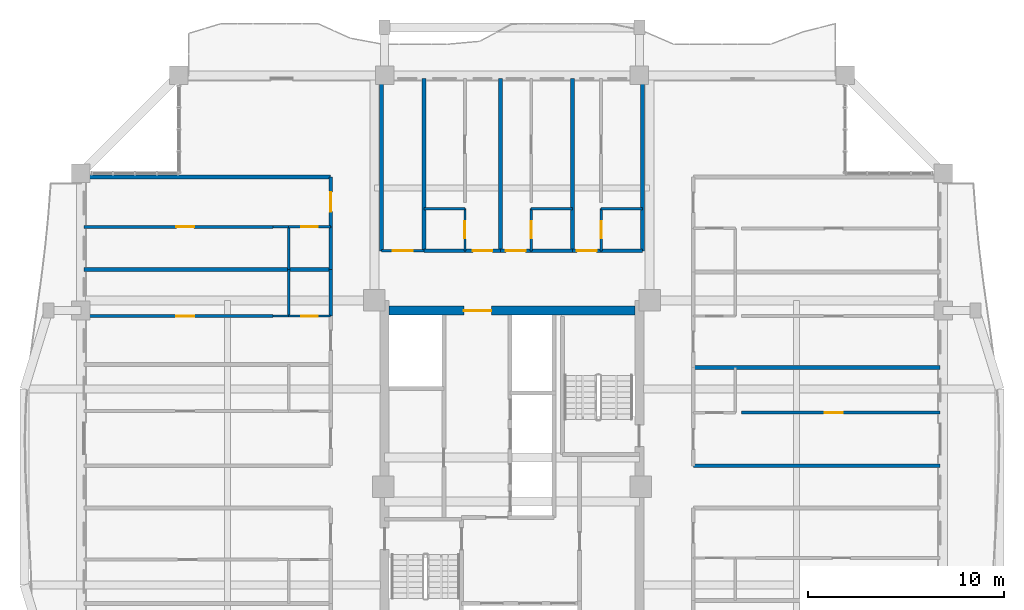
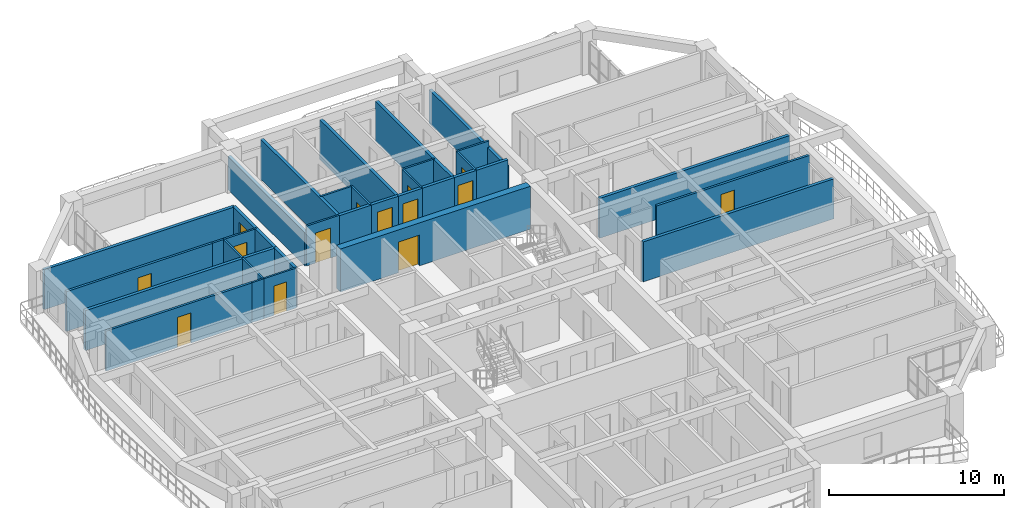
# One storey, part 16 of 24: 35 walls, 14 doors, 14 openings.
"""IFC4 building model written with IfcOpenShell, lengths in metres."""

import ifcopenshell
import ifcopenshell.guid

model = None  # the IFC model being written
_history = None  # IfcOwnerHistory: only IFC2X3 demands one
_inside = {}  # id of a spatial element -> (the spatial element, [elements in it])
_under = {}  # id of a project, library or spatial element -> (it, [spatial elements below it])
_declared = {}  # id of a project -> (the project, [libraries it declares])
_typed = {}  # id of a type object -> (the type object, [elements of that type])
_made_of = {}  # id of a material, layer set ... -> (it, [elements and type objects made of it])


def new_model(schema):
    """Start an empty IFC model of exactly this schema.

    Asked for "IFC4X3", IfcOpenShell would pick the latest addendum, in which some entities
    have other attributes; the version numbers below select the first issue.
    IFC2X3 requires an IfcOwnerHistory on every rooted entity: one is made here for all.
    """
    global model, _history
    if schema == "IFC4X3":
        model = ifcopenshell.file(schema_version=(4, 3, 0, 0))
    else:
        model = ifcopenshell.file(schema=schema)
    _inside.clear()
    _under.clear()
    _declared.clear()
    _typed.clear()
    _made_of.clear()
    _history = None
    if model.schema == "IFC2X3":
        org = make("IfcOrganization", Name="unknown")
        user = make(
            "IfcPersonAndOrganization",
            ThePerson=make("IfcPerson", FamilyName="unknown"),
            TheOrganization=org,
        )
        app = make(
            "IfcApplication",
            ApplicationDeveloper=org,
            Version="unknown",
            ApplicationFullName="unknown",
            ApplicationIdentifier="unknown",
        )
        _history = make(
            "IfcOwnerHistory",
            OwningUser=user,
            OwningApplication=app,
            ChangeAction="ADDED",
            CreationDate=0,
        )
    return model


def make(cls, **values):
    """One entity of the class cls with the attributes given. An attribute that is None is left unset."""
    return model.create_entity(
        cls, **{name: value for name, value in values.items() if value is not None}
    )


def rooted(cls, **values):
    """An entity with a GlobalId (a new one), such as an element, a storey or a relation."""
    return make(cls, GlobalId=ifcopenshell.guid.new(), OwnerHistory=_history, **values)


def si_unit(unit_type, name, prefix=None):
    """IfcSIUnit, for example si_unit("LENGTHUNIT", "METRE", prefix="MILLI")."""
    return make("IfcSIUnit", UnitType=unit_type, Prefix=prefix, Name=name)


def assignment(units):
    """IfcUnitAssignment: the units of a project."""
    return None if units is None else make("IfcUnitAssignment", Units=units)


def point(xyz):
    """IfcCartesianPoint."""
    return None if xyz is None else make("IfcCartesianPoint", Coordinates=xyz)


def direction(xyz):
    """IfcDirection."""
    return None if xyz is None else make("IfcDirection", DirectionRatios=xyz)


def frame(location, z_axis=None, x_axis=None):
    """IfcAxis2Placement3D, a coordinate frame: its origin and axes. An axis left out is left unset."""
    return make(
        "IfcAxis2Placement3D",
        Location=point(location),
        Axis=direction(z_axis),
        RefDirection=direction(x_axis),
    )


def frame_2d(location, x_axis=None):
    """IfcAxis2Placement2D, a coordinate frame in the plane: its origin and x axis."""
    return make(
        "IfcAxis2Placement2D", Location=point(location), RefDirection=direction(x_axis)
    )


def origin():
    """The frame at (0, 0, 0) with its axes left unset."""
    return frame((0.0, 0.0, 0.0))


def place(relative_to, where):
    """IfcLocalPlacement: puts the frame where relative to a parent placement (None: the world)."""
    return make(
        "IfcLocalPlacement", PlacementRelTo=relative_to, RelativePlacement=where
    )


def context(
    kind, dimensions, precision=None, world=None, true_north=None, identifier=None
):
    """IfcGeometricRepresentationContext, for example the 3D "Model" context."""
    return make(
        "IfcGeometricRepresentationContext",
        ContextIdentifier=identifier,
        ContextType=kind,
        CoordinateSpaceDimension=dimensions,
        Precision=precision,
        WorldCoordinateSystem=world,
        TrueNorth=true_north,
    )


def subcontext(parent, identifier, kind, view, scale=None):
    """IfcGeometricRepresentationSubContext, for example "Body" below "Model"."""
    return make(
        "IfcGeometricRepresentationSubContext",
        ContextIdentifier=identifier,
        ContextType=kind,
        ParentContext=parent,
        TargetScale=scale,
        TargetView=view,
    )


def project(units=None, contexts=None):
    """IfcProject with its units and contexts."""
    return rooted(
        "IfcProject",
        Name="project",
        RepresentationContexts=contexts,
        UnitsInContext=assignment(units),
    )


def spatial(cls, under=None, at=None, **own):
    """A site, building, storey or space (cls), placed at a placement, below another one or the project."""
    s = rooted(cls, ObjectPlacement=at, **own)
    if under is not None:
        _under.setdefault(under.id(), (under, []))[1].append(s)
    return s


def profile(cls, at=None, kind="AREA", **sizes):
    """A parametric profile (cls). Its sizes go by their IFC names, for example OverallWidth=200.0."""
    return make(cls, ProfileType=kind, Position=at, **sizes)


def rectangle(**sizes):
    """IfcRectangleProfileDef."""
    return profile("IfcRectangleProfileDef", **sizes)


def extrude(swept, where, along, depth):
    """IfcExtrudedAreaSolid: the profile swept, set in the frame where, extruded along a direction by depth."""
    return make(
        "IfcExtrudedAreaSolid",
        SweptArea=swept,
        Position=where,
        ExtrudedDirection=direction(along),
        Depth=depth,
    )


def shape(context_of_items, identifier, shape_type, items):
    """IfcShapeRepresentation: the items that make up one representation, for example the "Body"."""
    return make(
        "IfcShapeRepresentation",
        ContextOfItems=context_of_items,
        RepresentationIdentifier=identifier,
        RepresentationType=shape_type,
        Items=items,
    )


def source(mapping_origin, context_of_items, identifier, shape_type, items):
    """IfcRepresentationMap: a shape defined once, which mapped items show again and again."""
    return make(
        "IfcRepresentationMap",
        MappingOrigin=mapping_origin,
        MappedRepresentation=shape(context_of_items, identifier, shape_type, items),
    )


def transform(
    local_origin,
    x_axis=None,
    y_axis=None,
    z_axis=None,
    scale=None,
    scale2=None,
    scale3=None,
    uniform=True,
):
    """IfcCartesianTransformationOperator3D, or its non-uniform kind. x_axis, y_axis, z_axis: its Axis1, 2, 3."""
    if uniform:
        return make(
            "IfcCartesianTransformationOperator3D",
            Axis1=direction(x_axis),
            Axis2=direction(y_axis),
            LocalOrigin=point(local_origin),
            Scale=scale,
            Axis3=direction(z_axis),
        )
    return make(
        "IfcCartesianTransformationOperator3DnonUniform",
        Axis1=direction(x_axis),
        Axis2=direction(y_axis),
        LocalOrigin=point(local_origin),
        Scale=scale,
        Axis3=direction(z_axis),
        Scale2=scale2,
        Scale3=scale3,
    )


def mapped(mapping_source, mapping_target):
    """IfcMappedItem: shows the shape of a source again, moved by a transform."""
    return make(
        "IfcMappedItem", MappingSource=mapping_source, MappingTarget=mapping_target
    )


def material(Name=None, Category=None):
    """IfcMaterial."""
    return make("IfcMaterial", Name=Name, Category=Category)


def layer(
    of_material, thickness, ventilated=None, Name=None, Category=None, Priority=None
):
    """IfcMaterialLayer: one layer of a wall or slab, of a material (None: an air gap)."""
    return make(
        "IfcMaterialLayer",
        Material=of_material,
        LayerThickness=thickness,
        IsVentilated=ventilated,
        Name=Name,
        Category=Category,
        Priority=Priority,
    )


def layer_set(layers, Name=None):
    """IfcMaterialLayerSet."""
    return make("IfcMaterialLayerSet", MaterialLayers=layers, LayerSetName=Name)


def made_of(thing, what):
    """Note that an element or type object is made of a material, layer set ...; save() writes the relation."""
    if what is not None:
        _made_of.setdefault(what.id(), (what, []))[1].append(thing)
    return thing


def type_object(cls, material=None, **own):
    """A type object (cls), such as IfcWallType, which elements share."""
    return made_of(rooted(cls, **own), material)


def element(
    cls,
    number,
    at=None,
    inside=None,
    cuts=None,
    type_object=None,
    material=None,
    context=None,
    identifier="Body",
    shape_type=None,
    held_by="IfcProductDefinitionShape",
    body=None,
    shapes=None,
    **own,
):
    """One element of the class cls, such as IfcWall. Its Tag is "e" and its number.

    at: its placement. inside: the storey or other place that contains it. cuts: it is an
    opening in that element (IfcRelVoidsElement). A single representation is given by context,
    identifier, shape_type and body (its items); several are given by shapes. held_by: the class
    of the entity that holds the representations. save() writes the other relations.
    """
    e = rooted(cls, Tag="e%d" % number, ObjectPlacement=at, **own)
    if body is not None:
        shapes = [shape(context, identifier, shape_type, body)]
    if shapes is not None:
        e.Representation = make(held_by, Representations=shapes)
    if inside is not None:
        _inside.setdefault(inside.id(), (inside, []))[1].append(e)
    if cuts is not None:
        rooted(
            "IfcRelVoidsElement", RelatingBuildingElement=cuts, RelatedOpeningElement=e
        )
    if type_object is not None:
        _typed.setdefault(type_object.id(), (type_object, []))[1].append(e)
    return made_of(e, material)


def fill(opening, filler):
    """IfcRelFillsElement: the door or window that sits in an opening."""
    return rooted(
        "IfcRelFillsElement",
        RelatingOpeningElement=opening,
        RelatedBuildingElement=filler,
    )


def aggregate(whole, parts):
    """IfcRelAggregates: a whole, such as a stair, and the parts it consists of."""
    return rooted("IfcRelAggregates", RelatingObject=whole, RelatedObjects=parts)


def save(model, path):
    """Write the relations noted so far, then the file.

    IfcRelAggregates (storeys below a building ...), IfcRelContainedInSpatialStructure (elements
    in a storey), IfcRelDefinesByType, IfcRelAssociatesMaterial and IfcRelDeclares: one each for
    every whole, place, type object, material and project.
    """
    for whole, parts in _under.values():
        aggregate(whole, parts)
    for where, things in _inside.values():
        rooted(
            "IfcRelContainedInSpatialStructure",
            RelatedElements=things,
            RelatingStructure=where,
        )
    for kind, things in _typed.values():
        rooted("IfcRelDefinesByType", RelatedObjects=things, RelatingType=kind)
    for what, things in _made_of.values():
        rooted("IfcRelAssociatesMaterial", RelatedObjects=things, RelatingMaterial=what)
    for by, libraries in _declared.values():
        rooted("IfcRelDeclares", RelatingContext=by, RelatedDefinitions=libraries)
    model.write(path)


model = new_model("IFC4")

# Units and contexts
model_context = context("Model", 3, precision=1e-05, world=origin(), true_north=direction((0.0, 1.0)))
body_context = subcontext(model_context, "Body", "Model", "MODEL_VIEW")
ifc_project = project(units=[si_unit("LENGTHUNIT", "METRE"), si_unit("AREAUNIT", "SQUARE_METRE"), si_unit("VOLUMEUNIT", "CUBIC_METRE"), si_unit("PLANEANGLEUNIT", "RADIAN"), si_unit("MASSUNIT", "GRAM", prefix="KILO")], contexts=[model_context])

# Site, building, storey
site_placement = place(None, origin())
site = spatial("IfcSite", under=ifc_project, at=site_placement, CompositionType="ELEMENT")
building_placement = place(site_placement, origin())
building = spatial("IfcBuilding", under=site, at=building_placement, Name="Saelheon Loggia Tower", CompositionType="ELEMENT")
storey_placement = place(building_placement, frame((0.0, 0.0, 166.0)))
storey = spatial("IfcBuildingStorey", under=building, at=storey_placement, Name="L52", CompositionType="ELEMENT", Elevation=166.0)

# Wall, opening, door
ifc_material_1 = material(Name="Concrete C45/55", Category="concrete")
ifc_layer_1 = layer(ifc_material_1, 0.449951171875)
ifc_layer_set_1 = layer_set([ifc_layer_1], Name="Concrete C45/55")
wall_type_1 = type_object("IfcWallType", Name="Wall_CoreShear_450", PredefinedType="SHEAR", material=ifc_layer_set_1)
wall_1_placement = place(storey_placement, frame((31.72509765625, 36.0, 0.0), z_axis=(0.0, 0.0, 1.0), x_axis=(1.0, 0.0, 0.0)))
wall_1 = element("IfcWall", 1, at=wall_1_placement, inside=storey, type_object=wall_type_1, Name="L52 Core Shear Wall North", PredefinedType="SHEAR", context=body_context, shape_type="SweptSolid", body=[
    extrude(rectangle(XDim=12.5498046875, YDim=0.449951171875, at=frame_2d((6.27490234375, 0.0))), origin(), (0.0, 0.0, 1.0), 3.0),
])
opening_1_placement = place(wall_1_placement, frame((5.224853515625, 0.0, 0.0), z_axis=(0.0, 0.0, 1.0), x_axis=(-1.0, 0.0, 0.0)))
opening_1 = element("IfcOpeningElement", 2, at=opening_1_placement, cuts=wall_1, Name="Opening D-FD2L", PredefinedType="OPENING", context=body_context, shape_type="SweptSolid", body=[
    extrude(rectangle(XDim=1.39990234375, YDim=2.14990234375, at=frame_2d((0.699951171875, 1.074951171875))), frame((0.0, 0.237060546875, 0.0), z_axis=(0.0, -1.0, 0.0), x_axis=(1.0, 0.0, 0.0)), (0.0, 0.0, 1.0), 0.473876953125),
])
ifc_material_2 = material(Name="Galvanised Steel Glazed Lobby Fire Door", Category="steel")
door_type_1 = type_object("IfcDoorType", Name="Door_Fire_FD60_1400", OperationType="NOTDEFINED", PredefinedType="DOOR", material=ifc_material_2)
shared_shape_1 = source(origin(), body_context, "Body", "SweptSolid", [
    extrude(rectangle(XDim=1.39990234375, YDim=2.14990234375, at=frame_2d((0.699951171875, 1.074951171875))), frame((0.0, 0.02490234375, 0.0), z_axis=(0.0, -1.0, 0.0), x_axis=(1.0, 0.0, 0.0)), (0.0, 0.0, 1.0), 0.050048828125),
])
door_1_placement = place(opening_1_placement, origin())
door_1 = element("IfcDoor", 3, at=door_1_placement, inside=storey, type_object=door_type_1, Name="L52 Passenger Lift Lobby Main Door", OperationType="SINGLE_SWING_RIGHT", OverallHeight=2.14990234375, OverallWidth=1.39990234375, PredefinedType="DOOR", context=body_context, shape_type="MappedRepresentation", body=[
    mapped(shared_shape_1, transform((0.0, 0.0, 0.0), scale=1.0)),
])
fill(opening_1, door_1)

ifc_material_3 = material(Name="Lightweight Autoclaved Aerated Concrete Block and Acoustic Gypsum", Category="concrete")
ifc_layer_2 = layer(ifc_material_3, 0.14990234375)
ifc_layer_set_2 = layer_set([ifc_layer_2], Name="Lightweight Autoclaved Aerated Concrete Block and Acoustic Gypsum")
wall_type_2 = type_object("IfcWallType", Name="Wall_Part_150", PredefinedType="PARTITIONING", material=ifc_layer_set_2)
wall_2_placement = place(storey_placement, frame((25.81005859375, 35.719970703125, 0.0), z_axis=(0.0, 0.0, 1.0), x_axis=(-1.0, 0.0, 0.0)))
wall_2 = element("IfcWall", 4, at=wall_2_placement, inside=storey, type_object=wall_type_2, Name="L52 WN Partition U15", PredefinedType="PARTITIONING", context=body_context, shape_type="SweptSolid", body=[
    extrude(rectangle(XDim=9.66015625, YDim=0.14990234375, at=frame_2d((4.830078125, 0.0))), origin(), (0.0, 0.0, 1.0), 2.7900390625),
])
opening_2_placement = place(wall_2_placement, frame((4.034912109375, 0.0, 0.0)))
opening_2 = element("IfcOpeningElement", 5, at=opening_2_placement, cuts=wall_2, Name="Opening D-IN2", PredefinedType="OPENING", context=body_context, shape_type="SweptSolid", body=[
    extrude(rectangle(XDim=0.89990234375, YDim=2.10009765625, at=frame_2d((0.449951171875, 1.050048828125))), frame((0.0, 0.0869140625, 0.0), z_axis=(0.0, -1.0, 0.0), x_axis=(1.0, 0.0, 0.0)), (0.0, 0.0, 1.0), 0.173828125),
])
ifc_material_4 = material(Name="Engineered Oak Flush Door", Category="timber")
door_type_2 = type_object("IfcDoorType", Name="Door_Int_900", OperationType="NOTDEFINED", PredefinedType="DOOR", material=ifc_material_4)
shared_shape_2 = source(origin(), body_context, "Body", "SweptSolid", [
    extrude(rectangle(XDim=0.89990234375, YDim=2.10009765625, at=frame_2d((0.449951171875, 1.050048828125))), frame((0.0, 0.02490234375, 0.0), z_axis=(0.0, -1.0, 0.0), x_axis=(1.0, 0.0, 0.0)), (0.0, 0.0, 1.0), 0.050048828125),
])
door_2_placement = place(opening_2_placement, origin())
door_2 = element("IfcDoor", 6, at=door_2_placement, inside=storey, type_object=door_type_2, Name="Unit U11 Kitchen Door", OperationType="SINGLE_SWING_RIGHT", OverallHeight=2.10009765625, OverallWidth=0.89990234375, PredefinedType="DOOR", context=body_context, shape_type="MappedRepresentation", body=[
    mapped(shared_shape_2, transform((0.0, 0.0, 0.0), scale=1.0)),
])
fill(opening_2, door_2)

wall_3_placement = place(storey_placement, frame((25.81005859375, 40.27294921875, 0.0), z_axis=(0.0, 0.0, 1.0), x_axis=(-1.0, 0.0, 0.0)))
wall_3 = element("IfcWall", 7, at=wall_3_placement, inside=storey, type_object=wall_type_2, Name="L52 WN Partition U22", PredefinedType="PARTITIONING", context=body_context, shape_type="SweptSolid", body=[
    extrude(rectangle(XDim=9.66015625, YDim=0.14990234375, at=frame_2d((4.830078125, 0.0))), origin(), (0.0, 0.0, 1.0), 2.7900390625),
])
opening_3_placement = place(wall_3_placement, frame((4.034912109375, 0.0, 0.0)))
opening_3 = element("IfcOpeningElement", 8, at=opening_3_placement, cuts=wall_3, Name="Opening D-IN2", PredefinedType="OPENING", context=body_context, shape_type="SweptSolid", body=[
    extrude(rectangle(XDim=0.89990234375, YDim=2.10009765625, at=frame_2d((0.449951171875, 1.050048828125))), frame((0.0, 0.0869140625, 0.0), z_axis=(0.0, -1.0, 0.0), x_axis=(1.0, 0.0, 0.0)), (0.0, 0.0, 1.0), 0.173828125),
])
door_3_placement = place(opening_3_placement, origin())
door_3 = element("IfcDoor", 9, at=door_3_placement, inside=storey, type_object=door_type_2, Name="Unit U12 Kitchen Door", OperationType="SINGLE_SWING_LEFT", OverallHeight=2.10009765625, OverallWidth=0.89990234375, PredefinedType="DOOR", context=body_context, shape_type="MappedRepresentation", body=[
    mapped(shared_shape_2, transform((0.0, 0.0, 0.0), scale=1.0)),
])
fill(opening_3, door_3)

wall_4_placement = place(storey_placement, frame((49.7099609375, 30.786376953125, 0.0), z_axis=(0.0, 0.0, 1.0), x_axis=(1.0, 0.0, 0.0)))
wall_4 = element("IfcWall", 10, at=wall_4_placement, inside=storey, type_object=wall_type_2, Name="L52 EN Partition U07", PredefinedType="PARTITIONING", context=body_context, shape_type="SweptSolid", body=[
    extrude(rectangle(XDim=10.14013671875, YDim=0.14990234375, at=frame_2d((5.070068359375, 0.0))), origin(), (0.0, 0.0, 1.0), 2.7900390625),
])
opening_4_placement = place(wall_4_placement, frame((4.2548828125, 0.0, 0.0)))
opening_4 = element("IfcOpeningElement", 11, at=opening_4_placement, cuts=wall_4, Name="Opening D-IN2", PredefinedType="OPENING", context=body_context, shape_type="SweptSolid", body=[
    extrude(rectangle(XDim=0.89990234375, YDim=2.10009765625, at=frame_2d((0.449951171875, 1.050048828125))), frame((0.0, 0.0869140625, 0.0), z_axis=(0.0, -1.0, 0.0), x_axis=(1.0, 0.0, 0.0)), (0.0, 0.0, 1.0), 0.173828125),
])
door_4_placement = place(opening_4_placement, origin())
door_4 = element("IfcDoor", 12, at=door_4_placement, inside=storey, type_object=door_type_2, Name="Unit U16 Kitchen Door", OperationType="SINGLE_SWING_LEFT", OverallHeight=2.10009765625, OverallWidth=0.89990234375, PredefinedType="DOOR", context=body_context, shape_type="MappedRepresentation", body=[
    mapped(shared_shape_2, transform((0.0, 0.0, 0.0), scale=1.0)),
])
fill(opening_4, door_4)

# Walls
ifc_material_5 = material(Name="Double Acoustic Stud and Fireboard Partition", Category="gypsum")
ifc_layer_3 = layer(ifc_material_5, 0.199951171875)
ifc_layer_set_3 = layer_set([ifc_layer_3], Name="Double Acoustic Stud and Fireboard Partition")
wall_type_3 = type_object("IfcWallType", Name="Wall_Party_200", PredefinedType="PARTITIONING", material=ifc_layer_set_3)
for number, where, z_axis, x_axis, name in (
    (13, (31.35009765625, 39.050048828125, 0.0), (0.0, 0.0, 1.0), (0.0, 1.0, 0.0), "L52 N Partition U01"),
    (14, (44.64990234375, 39.050048828125, 0.0), (0.0, 0.0, 1.0), (0.0, 1.0, 0.0), "L52 N Partition U02"),
):
    element("IfcWall", number, at=place(storey_placement, frame(where, z_axis=z_axis, x_axis=x_axis)), inside=storey, type_object=wall_type_3, Name=name, PredefinedType="PARTITIONING", context=body_context, shape_type="SweptSolid", body=[
        extrude(rectangle(XDim=8.800048828125, YDim=0.199951171875, at=frame_2d((4.39990234375, 0.0))), origin(), (0.0, 0.0, 1.0), 2.340087890625),
    ])
wall_5_placement = place(storey_placement, frame((33.5, 39.050048828125, 0.0), z_axis=(0.0, 0.0, 1.0), x_axis=(0.0, 1.0, 0.0)))
element("IfcWall", 15, at=wall_5_placement, inside=storey, type_object=wall_type_3, Name="L52 N Partition U03", PredefinedType="PARTITIONING", context=body_context, shape_type="SweptSolid", body=[
    extrude(rectangle(XDim=8.800048828125, YDim=0.199951171875, at=frame_2d((4.39990234375, 0.0))), origin(), (0.0, 0.0, 1.0), 2.7900390625),
])
wall_6_placement = place(storey_placement, frame((33.5, 39.050048828125, 0.0), z_axis=(0.0, 0.0, 1.0), x_axis=(1.0, 0.0, 0.0)))
element("IfcWall", 16, at=wall_6_placement, inside=storey, type_object=wall_type_3, Name="L52 N Partition V05", PredefinedType="PARTITIONING", context=body_context, shape_type="SweptSolid", body=[
    extrude(rectangle(XDim=2.10009765625, YDim=0.199951171875, at=frame_2d((1.050048828125, 0.0))), origin(), (0.0, 0.0, 1.0), 2.7900390625),
])

# Wall, opening, door
wall_7_placement = place(storey_placement, frame((35.60009765625, 39.050048828125, 0.0), z_axis=(0.0, 0.0, 1.0), x_axis=(1.0, 0.0, 0.0)))
wall_7 = element("IfcWall", 17, at=wall_7_placement, inside=storey, type_object=wall_type_3, Name="L52 N Partition V06", PredefinedType="PARTITIONING", context=body_context, shape_type="SweptSolid", body=[
    extrude(rectangle(XDim=1.802490234375, YDim=0.199951171875, at=frame_2d((0.9013671875, 0.0))), origin(), (0.0, 0.0, 1.0), 2.7900390625),
])
opening_5_placement = place(wall_7_placement, frame((0.4013671875, 0.0, 0.0)))
opening_5 = element("IfcOpeningElement", 18, at=opening_5_placement, cuts=wall_7, Name="Opening D-FD1", PredefinedType="OPENING", context=body_context, shape_type="SweptSolid", body=[
    extrude(rectangle(XDim=1.0, YDim=2.14990234375, at=frame_2d((0.5, 1.074951171875))), frame((0.0, 0.112060546875, 0.0), z_axis=(0.0, -1.0, 0.0), x_axis=(1.0, 0.0, 0.0)), (0.0, 0.0, 1.0), 0.223876953125),
])
ifc_material_6 = material(Name="Fire-Rated Engineered Timber Entrance Door", Category="wood")
door_type_3 = type_object("IfcDoorType", Name="Door_Flat_FD30S", OperationType="NOTDEFINED", PredefinedType="DOOR", material=ifc_material_6)
shared_shape_3 = source(origin(), body_context, "Body", "SweptSolid", [
    extrude(rectangle(XDim=1.0, YDim=2.14990234375, at=frame_2d((0.5, 1.074951171875))), frame((0.0, 0.02490234375, 0.0), z_axis=(0.0, -1.0, 0.0), x_axis=(1.0, 0.0, 0.0)), (0.0, 0.0, 1.0), 0.050048828125),
])
door_5_placement = place(opening_5_placement, origin())
door_5 = element("IfcDoor", 19, at=door_5_placement, inside=storey, type_object=door_type_3, Name="Unit U04 Entrance Door", OperationType="SINGLE_SWING_LEFT", OverallHeight=2.14990234375, OverallWidth=1.0, PredefinedType="DOOR", context=body_context, shape_type="MappedRepresentation", body=[
    mapped(shared_shape_3, transform((0.0, 0.0, 0.0), scale=1.0)),
])
fill(opening_5, door_5)

# Wall
wall_8_placement = place(storey_placement, frame((37.402587890625, 39.050048828125, 0.0), z_axis=(0.0, 0.0, 1.0), x_axis=(0.0, 1.0, 0.0)))
element("IfcWall", 20, at=wall_8_placement, inside=storey, type_object=wall_type_3, Name="L52 N Partition U10", PredefinedType="PARTITIONING", context=body_context, shape_type="SweptSolid", body=[
    extrude(rectangle(XDim=8.800048828125, YDim=0.199951171875, at=frame_2d((4.39990234375, 0.0))), origin(), (0.0, 0.0, 1.0), 2.7900390625),
])

# Wall, opening, door
wall_9_placement = place(storey_placement, frame((37.402587890625, 39.050048828125, 0.0), z_axis=(0.0, 0.0, 1.0), x_axis=(1.0, 0.0, 0.0)))
wall_9 = element("IfcWall", 21, at=wall_9_placement, inside=storey, type_object=wall_type_3, Name="L52 N Partition V11", PredefinedType="PARTITIONING", context=body_context, shape_type="SweptSolid", body=[
    extrude(rectangle(XDim=1.579345703125, YDim=0.199951171875, at=frame_2d((0.78955078125, 0.0))), origin(), (0.0, 0.0, 1.0), 2.7900390625),
])
opening_6_placement = place(wall_9_placement, frame((0.289794921875, 0.0, 0.0)))
opening_6 = element("IfcOpeningElement", 22, at=opening_6_placement, cuts=wall_9, Name="Opening D-FD1", PredefinedType="OPENING", context=body_context, shape_type="SweptSolid", body=[
    extrude(rectangle(XDim=1.0, YDim=2.14990234375, at=frame_2d((0.5, 1.074951171875))), frame((0.0, 0.112060546875, 0.0), z_axis=(0.0, -1.0, 0.0), x_axis=(1.0, 0.0, 0.0)), (0.0, 0.0, 1.0), 0.223876953125),
])
door_6_placement = place(opening_6_placement, origin())
door_6 = element("IfcDoor", 23, at=door_6_placement, inside=storey, type_object=door_type_3, Name="Unit U05 Entrance Door", OperationType="SINGLE_SWING_RIGHT", OverallHeight=2.14990234375, OverallWidth=1.0, PredefinedType="DOOR", context=body_context, shape_type="MappedRepresentation", body=[
    mapped(shared_shape_3, transform((0.0, 0.0, 0.0), scale=1.0)),
])
fill(opening_6, door_6)

# Walls
wall_10_placement = place(storey_placement, frame((38.98193359375, 39.050048828125, 0.0), z_axis=(0.0, 0.0, 1.0), x_axis=(1.0, 0.0, 0.0)))
element("IfcWall", 24, at=wall_10_placement, inside=storey, type_object=wall_type_3, Name="L52 N Partition V12", PredefinedType="PARTITIONING", context=body_context, shape_type="SweptSolid", body=[
    extrude(rectangle(XDim=2.10009765625, YDim=0.199951171875, at=frame_2d((1.050048828125, 0.0))), origin(), (0.0, 0.0, 1.0), 2.7900390625),
])
wall_11_placement = place(storey_placement, frame((41.08203125, 39.050048828125, 0.0), z_axis=(0.0, 0.0, 1.0), x_axis=(0.0, 1.0, 0.0)))
element("IfcWall", 25, at=wall_11_placement, inside=storey, type_object=wall_type_3, Name="L52 N Partition U16", PredefinedType="PARTITIONING", context=body_context, shape_type="SweptSolid", body=[
    extrude(rectangle(XDim=8.800048828125, YDim=0.199951171875, at=frame_2d((4.39990234375, 0.0))), origin(), (0.0, 0.0, 1.0), 2.7900390625),
])

# Wall, opening, door
wall_12_placement = place(storey_placement, frame((41.08203125, 39.050048828125, 0.0), z_axis=(0.0, 0.0, 1.0), x_axis=(1.0, 0.0, 0.0)))
wall_12 = element("IfcWall", 26, at=wall_12_placement, inside=storey, type_object=wall_type_3, Name="L52 N Partition V17", PredefinedType="PARTITIONING", context=body_context, shape_type="SweptSolid", body=[
    extrude(rectangle(XDim=1.468017578125, YDim=0.199951171875, at=frame_2d((0.73388671875, 0.0))), origin(), (0.0, 0.0, 1.0), 2.7900390625),
])
opening_7_placement = place(wall_12_placement, frame((0.23388671875, 0.0, 0.0)))
opening_7 = element("IfcOpeningElement", 27, at=opening_7_placement, cuts=wall_12, Name="Opening D-FD1", PredefinedType="OPENING", context=body_context, shape_type="SweptSolid", body=[
    extrude(rectangle(XDim=1.0, YDim=2.14990234375, at=frame_2d((0.5, 1.074951171875))), frame((0.0, 0.112060546875, 0.0), z_axis=(0.0, -1.0, 0.0), x_axis=(1.0, 0.0, 0.0)), (0.0, 0.0, 1.0), 0.223876953125),
])
door_7_placement = place(opening_7_placement, origin())
door_7 = element("IfcDoor", 28, at=door_7_placement, inside=storey, type_object=door_type_3, Name="Unit U06 Entrance Door", OperationType="SINGLE_SWING_LEFT", OverallHeight=2.14990234375, OverallWidth=1.0, PredefinedType="DOOR", context=body_context, shape_type="MappedRepresentation", body=[
    mapped(shared_shape_3, transform((0.0, 0.0, 0.0), scale=1.0)),
])
fill(opening_7, door_7)

# Walls
wall_13_placement = place(storey_placement, frame((42.550048828125, 39.050048828125, 0.0), z_axis=(0.0, 0.0, 1.0), x_axis=(1.0, 0.0, 0.0)))
element("IfcWall", 29, at=wall_13_placement, inside=storey, type_object=wall_type_3, Name="L52 N Partition V18", PredefinedType="PARTITIONING", context=body_context, shape_type="SweptSolid", body=[
    extrude(rectangle(XDim=2.099853515625, YDim=0.199951171875, at=frame_2d((1.0498046875, 0.0))), origin(), (0.0, 0.0, 1.0), 2.7900390625),
])
wall_14_placement = place(storey_placement, frame((28.75, 42.820068359375, 0.0), z_axis=(0.0, 0.0, 1.0), x_axis=(-1.0, 0.0, 0.0)))
element("IfcWall", 30, at=wall_14_placement, inside=storey, type_object=wall_type_3, Name="L52 WN Partition U02", PredefinedType="PARTITIONING", context=body_context, shape_type="SweptSolid", body=[
    extrude(rectangle(XDim=12.60009765625, YDim=0.199951171875, at=frame_2d((6.300048828125, 0.0))), origin(), (0.0, 0.0, 1.0), 2.7900390625),
])
wall_15_placement = place(storey_placement, frame((28.75, 35.719970703125, 0.0), z_axis=(0.0, 0.0, 1.0), x_axis=(0.0, 1.0, 0.0)))
element("IfcWall", 31, at=wall_15_placement, inside=storey, type_object=wall_type_3, Name="L52 WN Partition V11", PredefinedType="PARTITIONING", context=body_context, shape_type="SweptSolid", body=[
    extrude(rectangle(XDim=2.38330078125, YDim=0.199951171875, at=frame_2d((1.191650390625, 0.0))), origin(), (0.0, 0.0, 1.0), 2.7900390625),
])
wall_16_placement = place(storey_placement, frame((28.75, 38.103271484375, 0.0), z_axis=(0.0, 0.0, 1.0), x_axis=(-1.0, 0.0, 0.0)))
element("IfcWall", 32, at=wall_16_placement, inside=storey, type_object=wall_type_3, Name="L52 WN Partition U16", PredefinedType="PARTITIONING", context=body_context, shape_type="SweptSolid", body=[
    extrude(rectangle(XDim=12.60009765625, YDim=0.199951171875, at=frame_2d((6.300048828125, 0.0))), origin(), (0.0, 0.0, 1.0), 2.7900390625),
])
wall_17_placement = place(storey_placement, frame((28.75, 38.103271484375, 0.0), z_axis=(0.0, 0.0, 1.0), x_axis=(0.0, 1.0, 0.0)))
element("IfcWall", 33, at=wall_17_placement, inside=storey, type_object=wall_type_3, Name="L52 WN Partition V17", PredefinedType="PARTITIONING", context=body_context, shape_type="SweptSolid", body=[
    extrude(rectangle(XDim=2.169677734375, YDim=0.199951171875, at=frame_2d((1.0849609375, 0.0))), origin(), (0.0, 0.0, 1.0), 2.7900390625),
])

# Wall, opening, door
wall_18_placement = place(storey_placement, frame((28.75, 40.27294921875, 0.0), z_axis=(0.0, 0.0, 1.0), x_axis=(0.0, 1.0, 0.0)))
wall_18 = element("IfcWall", 34, at=wall_18_placement, inside=storey, type_object=wall_type_3, Name="L52 WN Partition V18", PredefinedType="PARTITIONING", context=body_context, shape_type="SweptSolid", body=[
    extrude(rectangle(XDim=2.547119140625, YDim=0.199951171875, at=frame_2d((1.2734375, 0.0))), origin(), (0.0, 0.0, 1.0), 2.7900390625),
])
opening_8_placement = place(wall_18_placement, frame((0.773681640625, 0.0, 0.0)))
opening_8 = element("IfcOpeningElement", 35, at=opening_8_placement, cuts=wall_18, Name="Opening D-FD1", PredefinedType="OPENING", context=body_context, shape_type="SweptSolid", body=[
    extrude(rectangle(XDim=1.0, YDim=2.14990234375, at=frame_2d((0.5, 1.074951171875))), frame((0.0, 0.112060546875, 0.0), z_axis=(0.0, -1.0, 0.0), x_axis=(1.0, 0.0, 0.0)), (0.0, 0.0, 1.0), 0.223876953125),
])
door_8_placement = place(opening_8_placement, origin())
door_8 = element("IfcDoor", 36, at=door_8_placement, inside=storey, type_object=door_type_3, Name="Unit U12 Entrance Door", OperationType="SINGLE_SWING_LEFT", OverallHeight=2.14990234375, OverallWidth=1.0, PredefinedType="DOOR", context=body_context, shape_type="MappedRepresentation", body=[
    mapped(shared_shape_3, transform((0.0, 0.0, 0.0), scale=1.0)),
])
fill(opening_8, door_8)

# Walls
for number, where, z_axis, x_axis, name in (
    (37, (47.25, 28.080078125, 0.0), (0.0, 0.0, 1.0), (1.0, 0.0, 0.0), "L52 EN Partition U01"),
    (38, (47.25, 33.091552734375, 0.0), (0.0, 0.0, 1.0), (1.0, 0.0, 0.0), "L52 EN Partition U08"),
):
    element("IfcWall", number, at=place(storey_placement, frame(where, z_axis=z_axis, x_axis=x_axis)), inside=storey, type_object=wall_type_3, Name=name, PredefinedType="PARTITIONING", context=body_context, shape_type="SweptSolid", body=[
        extrude(rectangle(XDim=12.60009765625, YDim=0.199951171875, at=frame_2d((6.300048828125, 0.0))), origin(), (0.0, 0.0, 1.0), 2.7900390625),
    ])

# Wall, opening, door
ifc_material_7 = material(Name="Moisture-Resistant Cement Board Partition", Category="gypsum")
ifc_layer_4 = layer(ifc_material_7, 0.1201171875)
ifc_layer_set_4 = layer_set([ifc_layer_4], Name="Moisture-Resistant Cement Board Partition")
wall_type_4 = type_object("IfcWallType", Name="Wall_WetPart_120", PredefinedType="PARTITIONING", material=ifc_layer_set_4)
wall_19_placement = place(storey_placement, frame((31.35009765625, 39.050048828125, 0.0), z_axis=(0.0, 0.0, 1.0), x_axis=(1.0, 0.0, 0.0)))
wall_19 = element("IfcWall", 39, at=wall_19_placement, inside=storey, type_object=wall_type_4, Name="L52 N Partition V04", PredefinedType="PARTITIONING", context=body_context, shape_type="SweptSolid", body=[
    extrude(rectangle(XDim=2.14990234375, YDim=0.1201171875, at=frame_2d((1.074951171875, 0.0))), origin(), (0.0, 0.0, 1.0), 2.7900390625),
])
opening_9_placement = place(wall_19_placement, frame((0.574951171875, 0.0, 0.0)))
opening_9 = element("IfcOpeningElement", 40, at=opening_9_placement, cuts=wall_19, Name="Opening D-AC1", PredefinedType="OPENING", context=body_context, shape_type="SweptSolid", body=[
    extrude(rectangle(XDim=1.0, YDim=2.10009765625, at=frame_2d((0.5, 1.050048828125))), frame((0.0, 0.072021484375, 0.0), z_axis=(0.0, -1.0, 0.0), x_axis=(1.0, 0.0, 0.0)), (0.0, 0.0, 1.0), 0.14404296875),
])
ifc_material_8 = material(Name="Accessible Laminate Flush Door", Category="timber")
door_type_4 = type_object("IfcDoorType", Name="Door_Acc_1000", OperationType="NOTDEFINED", PredefinedType="DOOR", material=ifc_material_8)
shared_shape_4 = source(origin(), body_context, "Body", "SweptSolid", [
    extrude(rectangle(XDim=1.0, YDim=2.10009765625, at=frame_2d((0.5, 1.050048828125))), frame((0.0, 0.02490234375, 0.0), z_axis=(0.0, -1.0, 0.0), x_axis=(1.0, 0.0, 0.0)), (0.0, 0.0, 1.0), 0.050048828125),
])
door_9_placement = place(opening_9_placement, origin())
door_9 = element("IfcDoor", 41, at=door_9_placement, inside=storey, type_object=door_type_4, Name="L52 Floor Accessible WC Door", OperationType="SINGLE_SWING_RIGHT", OverallHeight=2.10009765625, OverallWidth=1.0, PredefinedType="DOOR", context=body_context, shape_type="MappedRepresentation", body=[
    mapped(shared_shape_4, transform((0.0, 0.0, 0.0), scale=1.0)),
])
fill(opening_9, door_9)

wall_20_placement = place(storey_placement, frame((35.60009765625, 39.050048828125, 0.0), z_axis=(0.0, 0.0, 1.0), x_axis=(0.0, 1.0, 0.0)))
wall_20 = element("IfcWall", 42, at=wall_20_placement, inside=storey, type_object=wall_type_4, Name="L52 N Partition U07", PredefinedType="PARTITIONING", context=body_context, shape_type="SweptSolid", body=[
    extrude(rectangle(XDim=2.14990234375, YDim=0.1201171875, at=frame_2d((1.074951171875, 0.0))), origin(), (0.0, 0.0, 1.0), 2.7900390625),
])
opening_10_placement = place(wall_20_placement, frame((0.64990234375, 0.0, 0.0)))
opening_10 = element("IfcOpeningElement", 43, at=opening_10_placement, cuts=wall_20, Name="Opening D-BT1", PredefinedType="OPENING", context=body_context, shape_type="SweptSolid", body=[
    extrude(rectangle(XDim=0.85009765625, YDim=2.050048828125, at=frame_2d((0.425048828125, 1.02490234375))), frame((0.0, 0.072021484375, 0.0), z_axis=(0.0, -1.0, 0.0), x_axis=(1.0, 0.0, 0.0)), (0.0, 0.0, 1.0), 0.14404296875),
])
ifc_material_9 = material(Name="Moisture-Resistant Laminate Timber Door", Category="wood")
door_type_5 = type_object("IfcDoorType", Name="Door_Bath_850", OperationType="NOTDEFINED", PredefinedType="DOOR", material=ifc_material_9)
shared_shape_5 = source(origin(), body_context, "Body", "SweptSolid", [
    extrude(rectangle(XDim=0.85009765625, YDim=2.050048828125, at=frame_2d((0.425048828125, 1.02490234375))), frame((0.0, 0.02490234375, 0.0), z_axis=(0.0, -1.0, 0.0), x_axis=(1.0, 0.0, 0.0)), (0.0, 0.0, 1.0), 0.050048828125),
])
door_10_placement = place(opening_10_placement, origin())
door_10 = element("IfcDoor", 44, at=door_10_placement, inside=storey, type_object=door_type_5, Name="Unit U04 Bathroom Door", OperationType="SINGLE_SWING_RIGHT", OverallHeight=2.050048828125, OverallWidth=0.85009765625, PredefinedType="DOOR", context=body_context, shape_type="MappedRepresentation", body=[
    mapped(shared_shape_5, transform((0.0, 0.0, 0.0), scale=1.0)),
])
fill(opening_10, door_10)

# Wall
wall_21_placement = place(storey_placement, frame((33.5, 41.199951171875, 0.0), z_axis=(0.0, 0.0, 1.0), x_axis=(1.0, 0.0, 0.0)))
element("IfcWall", 45, at=wall_21_placement, inside=storey, type_object=wall_type_4, Name="L52 N Partition V08", PredefinedType="PARTITIONING", context=body_context, shape_type="SweptSolid", body=[
    extrude(rectangle(XDim=2.10009765625, YDim=0.1201171875, at=frame_2d((1.050048828125, 0.0))), origin(), (0.0, 0.0, 1.0), 2.7900390625),
])

# Wall, opening, door
wall_22_placement = place(storey_placement, frame((38.98193359375, 39.050048828125, 0.0), z_axis=(0.0, 0.0, 1.0), x_axis=(0.0, 1.0, 0.0)))
wall_22 = element("IfcWall", 46, at=wall_22_placement, inside=storey, type_object=wall_type_4, Name="L52 N Partition U13", PredefinedType="PARTITIONING", context=body_context, shape_type="SweptSolid", body=[
    extrude(rectangle(XDim=2.14990234375, YDim=0.1201171875, at=frame_2d((1.074951171875, 0.0))), origin(), (0.0, 0.0, 1.0), 2.7900390625),
])
opening_11_placement = place(wall_22_placement, frame((0.64990234375, 0.0, 0.0)))
opening_11 = element("IfcOpeningElement", 47, at=opening_11_placement, cuts=wall_22, Name="Opening D-BT1", PredefinedType="OPENING", context=body_context, shape_type="SweptSolid", body=[
    extrude(rectangle(XDim=0.85009765625, YDim=2.050048828125, at=frame_2d((0.425048828125, 1.02490234375))), frame((0.0, 0.072021484375, 0.0), z_axis=(0.0, -1.0, 0.0), x_axis=(1.0, 0.0, 0.0)), (0.0, 0.0, 1.0), 0.14404296875),
])
door_11_placement = place(opening_11_placement, origin())
door_11 = element("IfcDoor", 48, at=door_11_placement, inside=storey, type_object=door_type_5, Name="Unit U05 Bathroom Door", OperationType="SINGLE_SWING_LEFT", OverallHeight=2.050048828125, OverallWidth=0.85009765625, PredefinedType="DOOR", context=body_context, shape_type="MappedRepresentation", body=[
    mapped(shared_shape_5, transform((0.0, 0.0, 0.0), scale=1.0)),
])
fill(opening_11, door_11)

# Wall
wall_23_placement = place(storey_placement, frame((38.98193359375, 41.199951171875, 0.0), z_axis=(0.0, 0.0, 1.0), x_axis=(1.0, 0.0, 0.0)))
element("IfcWall", 49, at=wall_23_placement, inside=storey, type_object=wall_type_4, Name="L52 N Partition V14", PredefinedType="PARTITIONING", context=body_context, shape_type="SweptSolid", body=[
    extrude(rectangle(XDim=2.10009765625, YDim=0.1201171875, at=frame_2d((1.050048828125, 0.0))), origin(), (0.0, 0.0, 1.0), 2.7900390625),
])

# Wall, opening, door
wall_24_placement = place(storey_placement, frame((42.550048828125, 39.050048828125, 0.0), z_axis=(0.0, 0.0, 1.0), x_axis=(0.0, 1.0, 0.0)))
wall_24 = element("IfcWall", 50, at=wall_24_placement, inside=storey, type_object=wall_type_4, Name="L52 N Partition U19", PredefinedType="PARTITIONING", context=body_context, shape_type="SweptSolid", body=[
    extrude(rectangle(XDim=2.14990234375, YDim=0.1201171875, at=frame_2d((1.074951171875, 0.0))), origin(), (0.0, 0.0, 1.0), 2.7900390625),
])
opening_12_placement = place(wall_24_placement, frame((0.64990234375, 0.0, 0.0)))
opening_12 = element("IfcOpeningElement", 51, at=opening_12_placement, cuts=wall_24, Name="Opening D-BT1", PredefinedType="OPENING", context=body_context, shape_type="SweptSolid", body=[
    extrude(rectangle(XDim=0.85009765625, YDim=2.050048828125, at=frame_2d((0.425048828125, 1.02490234375))), frame((0.0, 0.072021484375, 0.0), z_axis=(0.0, -1.0, 0.0), x_axis=(1.0, 0.0, 0.0)), (0.0, 0.0, 1.0), 0.14404296875),
])
door_12_placement = place(opening_12_placement, origin())
door_12 = element("IfcDoor", 52, at=door_12_placement, inside=storey, type_object=door_type_5, Name="Unit U06 Bathroom Door", OperationType="SINGLE_SWING_RIGHT", OverallHeight=2.050048828125, OverallWidth=0.85009765625, PredefinedType="DOOR", context=body_context, shape_type="MappedRepresentation", body=[
    mapped(shared_shape_5, transform((0.0, 0.0, 0.0), scale=1.0)),
])
fill(opening_12, door_12)

# Wall
wall_25_placement = place(storey_placement, frame((42.550048828125, 41.199951171875, 0.0), z_axis=(0.0, 0.0, 1.0), x_axis=(1.0, 0.0, 0.0)))
element("IfcWall", 53, at=wall_25_placement, inside=storey, type_object=wall_type_4, Name="L52 N Partition V20", PredefinedType="PARTITIONING", context=body_context, shape_type="SweptSolid", body=[
    extrude(rectangle(XDim=2.099853515625, YDim=0.1201171875, at=frame_2d((1.0498046875, 0.0))), origin(), (0.0, 0.0, 1.0), 2.7900390625),
])

# Wall, opening, door
wall_26_placement = place(storey_placement, frame((28.75, 35.719970703125, 0.0), z_axis=(0.0, 0.0, 1.0), x_axis=(-1.0, 0.0, 0.0)))
wall_26 = element("IfcWall", 54, at=wall_26_placement, inside=storey, type_object=wall_type_4, Name="L52 WN Partition U12", PredefinedType="PARTITIONING", context=body_context, shape_type="SweptSolid", body=[
    extrude(rectangle(XDim=2.14990234375, YDim=0.1201171875, at=frame_2d((1.074951171875, 0.0))), origin(), (0.0, 0.0, 1.0), 2.7900390625),
])
opening_13_placement = place(wall_26_placement, frame((0.64990234375, 0.0, 0.0)))
opening_13 = element("IfcOpeningElement", 55, at=opening_13_placement, cuts=wall_26, Name="Opening D-BT1", PredefinedType="OPENING", context=body_context, shape_type="SweptSolid", body=[
    extrude(rectangle(XDim=0.85009765625, YDim=2.050048828125, at=frame_2d((0.425048828125, 1.02490234375))), frame((0.0, 0.072021484375, 0.0), z_axis=(0.0, -1.0, 0.0), x_axis=(1.0, 0.0, 0.0)), (0.0, 0.0, 1.0), 0.14404296875),
])
door_13_placement = place(opening_13_placement, origin())
door_13 = element("IfcDoor", 56, at=door_13_placement, inside=storey, type_object=door_type_5, Name="Unit U11 Bathroom Door", OperationType="SINGLE_SWING_LEFT", OverallHeight=2.050048828125, OverallWidth=0.85009765625, PredefinedType="DOOR", context=body_context, shape_type="MappedRepresentation", body=[
    mapped(shared_shape_5, transform((0.0, 0.0, 0.0), scale=1.0)),
])
fill(opening_13, door_13)

# Walls
wall_27_placement = place(storey_placement, frame((26.60009765625, 35.719970703125, 0.0), z_axis=(0.0, 0.0, 1.0), x_axis=(-1.0, 0.0, 0.0)))
element("IfcWall", 57, at=wall_27_placement, inside=storey, type_object=wall_type_4, Name="L52 WN Partition U13", PredefinedType="PARTITIONING", context=body_context, shape_type="SweptSolid", body=[
    extrude(rectangle(XDim=0.7900390625, YDim=0.1201171875, at=frame_2d((0.39501953125, 0.0))), origin(), (0.0, 0.0, 1.0), 2.7900390625),
])
wall_28_placement = place(storey_placement, frame((26.60009765625, 35.719970703125, 0.0), z_axis=(0.0, 0.0, 1.0), x_axis=(0.0, 1.0, 0.0)))
element("IfcWall", 58, at=wall_28_placement, inside=storey, type_object=wall_type_4, Name="L52 WN Partition V14", PredefinedType="PARTITIONING", context=body_context, shape_type="SweptSolid", body=[
    extrude(rectangle(XDim=2.38330078125, YDim=0.1201171875, at=frame_2d((1.191650390625, 0.0))), origin(), (0.0, 0.0, 1.0), 2.7900390625),
])

# Wall, opening, door
wall_29_placement = place(storey_placement, frame((28.75, 40.27294921875, 0.0), z_axis=(0.0, 0.0, 1.0), x_axis=(-1.0, 0.0, 0.0)))
wall_29 = element("IfcWall", 59, at=wall_29_placement, inside=storey, type_object=wall_type_4, Name="L52 WN Partition U19", PredefinedType="PARTITIONING", context=body_context, shape_type="SweptSolid", body=[
    extrude(rectangle(XDim=2.14990234375, YDim=0.1201171875, at=frame_2d((1.074951171875, 0.0))), origin(), (0.0, 0.0, 1.0), 2.7900390625),
])
opening_14_placement = place(wall_29_placement, frame((0.64990234375, 0.0, 0.0)))
opening_14 = element("IfcOpeningElement", 60, at=opening_14_placement, cuts=wall_29, Name="Opening D-BT1", PredefinedType="OPENING", context=body_context, shape_type="SweptSolid", body=[
    extrude(rectangle(XDim=0.85009765625, YDim=2.050048828125, at=frame_2d((0.425048828125, 1.02490234375))), frame((0.0, 0.072021484375, 0.0), z_axis=(0.0, -1.0, 0.0), x_axis=(1.0, 0.0, 0.0)), (0.0, 0.0, 1.0), 0.14404296875),
])
door_14_placement = place(opening_14_placement, origin())
door_14 = element("IfcDoor", 61, at=door_14_placement, inside=storey, type_object=door_type_5, Name="Unit U12 Bathroom Door", OperationType="SINGLE_SWING_RIGHT", OverallHeight=2.050048828125, OverallWidth=0.85009765625, PredefinedType="DOOR", context=body_context, shape_type="MappedRepresentation", body=[
    mapped(shared_shape_5, transform((0.0, 0.0, 0.0), scale=1.0)),
])
fill(opening_14, door_14)

# Walls
wall_30_placement = place(storey_placement, frame((26.60009765625, 40.27294921875, 0.0), z_axis=(0.0, 0.0, 1.0), x_axis=(-1.0, 0.0, 0.0)))
element("IfcWall", 62, at=wall_30_placement, inside=storey, type_object=wall_type_4, Name="L52 WN Partition U20", PredefinedType="PARTITIONING", context=body_context, shape_type="SweptSolid", body=[
    extrude(rectangle(XDim=0.7900390625, YDim=0.1201171875, at=frame_2d((0.39501953125, 0.0))), origin(), (0.0, 0.0, 1.0), 2.7900390625),
])
wall_31_placement = place(storey_placement, frame((26.60009765625, 38.103271484375, 0.0), z_axis=(0.0, 0.0, 1.0), x_axis=(0.0, 1.0, 0.0)))
element("IfcWall", 63, at=wall_31_placement, inside=storey, type_object=wall_type_4, Name="L52 WN Partition V21", PredefinedType="PARTITIONING", context=body_context, shape_type="SweptSolid", body=[
    extrude(rectangle(XDim=2.169677734375, YDim=0.1201171875, at=frame_2d((1.0849609375, 0.0))), origin(), (0.0, 0.0, 1.0), 2.7900390625),
])

save(model, "model.ifc")
